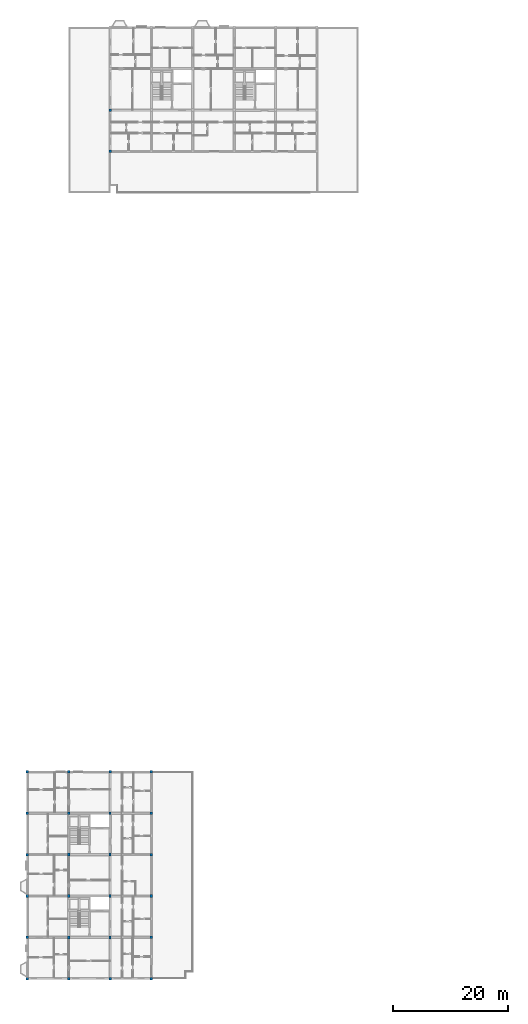
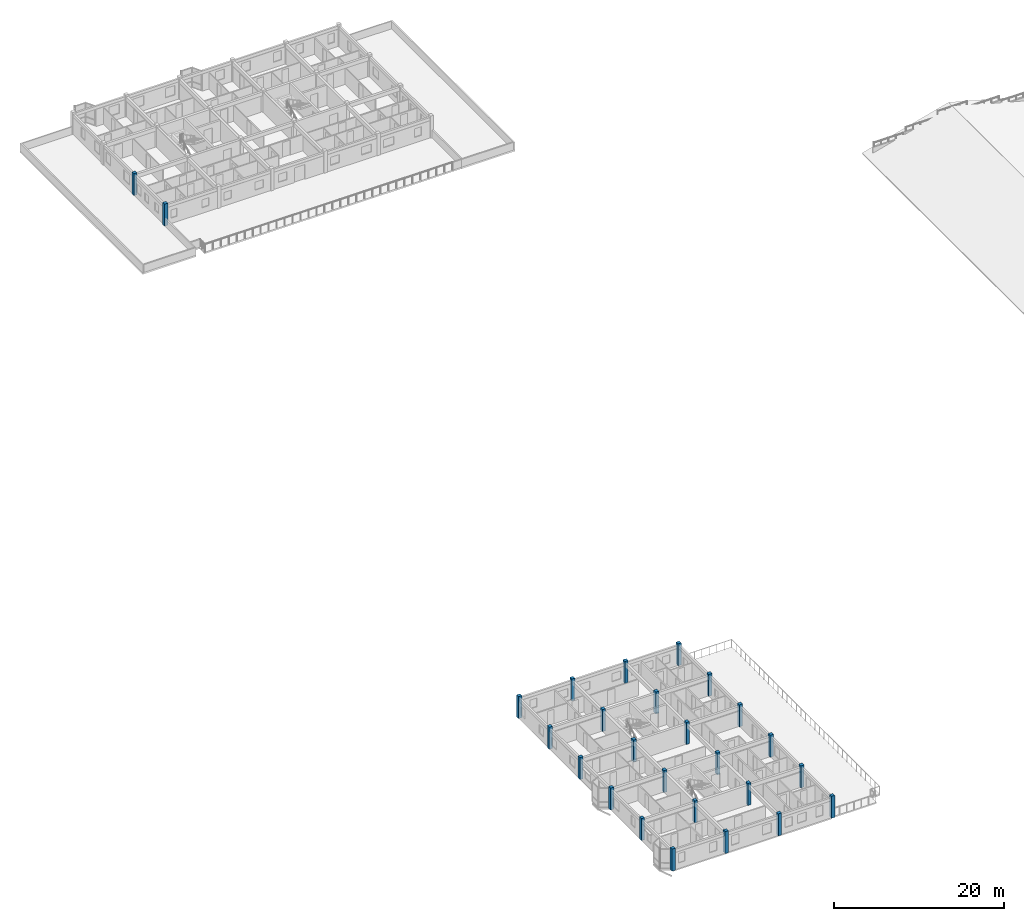
# One storey, part 1 of 40: 26 columns.
"""IFC4 building model written with IfcOpenShell, lengths in metres."""

from ifc_helpers import new_model, si_unit, direction, frame, origin, origin_2d, place, context, subcontext, project, spatial, rectangle, extrude, material, material_profile, profile_set, type_object, element, save


model = new_model("IFC4")

# Units and contexts
model_context = context("Model", 3, precision=1e-05, world=origin(), true_north=direction((0.0, 1.0)))
body_context = subcontext(model_context, "Body", "Model", "MODEL_VIEW")
ifc_project = project(units=[si_unit("LENGTHUNIT", "METRE"), si_unit("AREAUNIT", "SQUARE_METRE"), si_unit("VOLUMEUNIT", "CUBIC_METRE"), si_unit("PLANEANGLEUNIT", "RADIAN"), si_unit("MASSUNIT", "GRAM", prefix="KILO"), si_unit("THERMODYNAMICTEMPERATUREUNIT", "KELVIN"), si_unit("POWERUNIT", "WATT")], contexts=[model_context])

# Site, building, storey
site_placement = place(None, origin())
site = spatial("IfcSite", under=ifc_project, at=site_placement, CompositionType="ELEMENT")
building_placement = place(site_placement, origin())
building = spatial("IfcBuilding", under=site, at=building_placement, Name="Tavuni Mirador Residences", CompositionType="ELEMENT")
storey_placement = place(building_placement, frame((0.0, 0.0, 36.0)))
storey = spatial("IfcBuildingStorey", under=building, at=storey_placement, Name="L11", CompositionType="ELEMENT", Elevation=36.0)

# Columns
ifc_material = material(Name="Precast concrete C40/50", Category="concrete")
ifc_material_profile_1 = material_profile(ifc_material, rectangle(XDim=0.39990234375, YDim=0.5, at=origin_2d()), Name="PC 400x500", Category="concrete")
ifc_profile_set_1 = profile_set([ifc_material_profile_1], Name="Precast concrete C40/50")
column_type_1 = type_object("IfcColumnType", Name="CT-PC400X500", PredefinedType="COLUMN", material=ifc_profile_set_1)
for number, where, z_axis, x_axis, name in (
    (1, (10.800048828125, 14.39990234375, 0.0), (0.0, 0.0, 1.0), (1.0, 0.0, 0.0), "COL-BLK-A-L11-01-01"),
    (2, (10.800048828125, 21.60009765625, 0.0), (0.0, 0.0, 1.0), (1.0, 0.0, 0.0), "COL-BLK-A-L11-01-02"),
    (3, (10.800048828125, 28.800048828125, 0.0), (0.0, 0.0, 1.0), (1.0, 0.0, 0.0), "COL-BLK-A-L11-01-03"),
    (4, (10.800048828125, 36.0, 0.0), (0.0, 0.0, 1.0), (1.0, 0.0, 0.0), "COL-BLK-A-L11-01-04"),
    (5, (18.0, 14.39990234375, 0.0), (0.0, 0.0, 1.0), (1.0, 0.0, 0.0), "COL-BLK-A-L11-02-01"),
    (6, (18.0, 21.60009765625, 0.0), (0.0, 0.0, 1.0), (1.0, 0.0, 0.0), "COL-BLK-A-L11-02-02"),
    (7, (18.0, 28.800048828125, 0.0), (0.0, 0.0, 1.0), (1.0, 0.0, 0.0), "COL-BLK-A-L11-02-03"),
    (8, (18.0, 36.0, 0.0), (0.0, 0.0, 1.0), (1.0, 0.0, 0.0), "COL-BLK-A-L11-02-04"),
):
    element("IfcColumn", number, at=place(storey_placement, frame(where, z_axis=z_axis, x_axis=x_axis)), inside=storey, type_object=column_type_1, Name=name, PredefinedType="COLUMN", context=body_context, shape_type="SweptSolid", body=[
        extrude(rectangle(XDim=0.39990234375, YDim=0.5, at=origin_2d()), origin(), (0.0, 0.0, 1.0), 3.14990234375),
    ])
ifc_material_profile_2 = material_profile(ifc_material, rectangle(XDim=0.449951171875, YDim=0.449951171875, at=origin_2d()), Name="RC 450x450", Category="concrete")
ifc_profile_set_2 = profile_set([ifc_material_profile_2], Name="Precast concrete C40/50")
column_type_2 = type_object("IfcColumnType", Name="CT-RC450", PredefinedType="COLUMN", material=ifc_profile_set_2)
for number, where, z_axis, x_axis, name in (
    (9, (3.60009765625, 7.199951171875, 0.0), (0.0, 0.0, 1.0), (1.0, 0.0, 0.0), "COL-BLK-A-L11-00-00"),
    (10, (3.60009765625, 14.39990234375, 0.0), (0.0, 0.0, 1.0), (1.0, 0.0, 0.0), "COL-BLK-A-L11-00-01"),
    (11, (3.60009765625, 21.60009765625, 0.0), (0.0, 0.0, 1.0), (1.0, 0.0, 0.0), "COL-BLK-A-L11-00-02"),
    (12, (3.60009765625, 28.800048828125, 0.0), (0.0, 0.0, 1.0), (1.0, 0.0, 0.0), "COL-BLK-A-L11-00-03"),
    (13, (3.60009765625, 36.0, 0.0), (0.0, 0.0, 1.0), (1.0, 0.0, 0.0), "COL-BLK-A-L11-00-04"),
    (14, (3.60009765625, 43.199951171875, 0.0), (0.0, 0.0, 1.0), (1.0, 0.0, 0.0), "COL-BLK-A-L11-00-05"),
    (15, (10.800048828125, 7.199951171875, 0.0), (0.0, 0.0, 1.0), (1.0, 0.0, 0.0), "COL-BLK-A-L11-01-00"),
    (16, (10.800048828125, 43.199951171875, 0.0), (0.0, 0.0, 1.0), (1.0, 0.0, 0.0), "COL-BLK-A-L11-01-05"),
    (17, (18.0, 7.199951171875, 0.0), (0.0, 0.0, 1.0), (1.0, 0.0, 0.0), "COL-BLK-A-L11-02-00"),
    (18, (18.0, 43.199951171875, 0.0), (0.0, 0.0, 1.0), (1.0, 0.0, 0.0), "COL-BLK-A-L11-02-05"),
    (19, (25.199951171875, 7.199951171875, 0.0), (0.0, 0.0, 1.0), (1.0, 0.0, 0.0), "COL-BLK-A-L11-03-00"),
    (20, (25.199951171875, 14.39990234375, 0.0), (0.0, 0.0, 1.0), (1.0, 0.0, 0.0), "COL-BLK-A-L11-03-01"),
    (21, (25.199951171875, 21.60009765625, 0.0), (0.0, 0.0, 1.0), (1.0, 0.0, 0.0), "COL-BLK-A-L11-03-02"),
    (22, (25.199951171875, 28.800048828125, 0.0), (0.0, 0.0, 1.0), (1.0, 0.0, 0.0), "COL-BLK-A-L11-03-03"),
    (23, (25.199951171875, 36.0, 0.0), (0.0, 0.0, 1.0), (1.0, 0.0, 0.0), "COL-BLK-A-L11-03-04"),
    (24, (25.199951171875, 43.199951171875, 0.0), (0.0, 0.0, 1.0), (1.0, 0.0, 0.0), "COL-BLK-A-L11-03-05"),
    (25, (18.0, 151.199951171875, 0.0), (0.0, 0.0, 1.0), (1.0, 0.0, 0.0), "COL-BLK-C-L11-00-00"),
    (26, (18.0, 158.39990234375, 0.0), (0.0, 0.0, 1.0), (1.0, 0.0, 0.0), "COL-BLK-C-L11-00-01"),
):
    element("IfcColumn", number, at=place(storey_placement, frame(where, z_axis=z_axis, x_axis=x_axis)), inside=storey, type_object=column_type_2, Name=name, PredefinedType="COLUMN", context=body_context, shape_type="SweptSolid", body=[
        extrude(rectangle(XDim=0.449951171875, YDim=0.449951171875, at=origin_2d()), origin(), (0.0, 0.0, 1.0), 3.14990234375),
    ])

save(model, "model.ifc")
